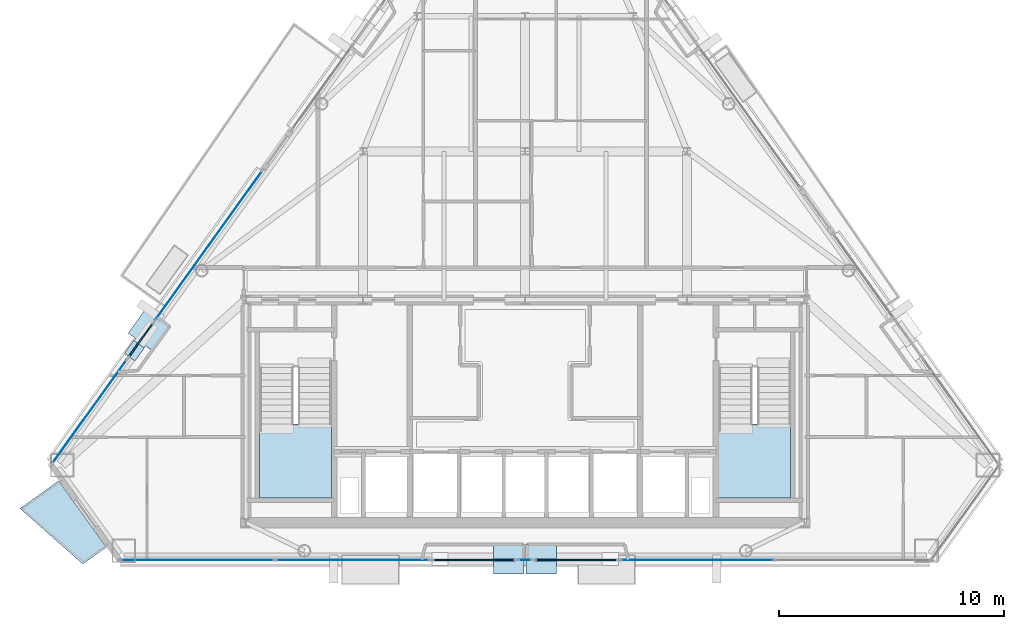
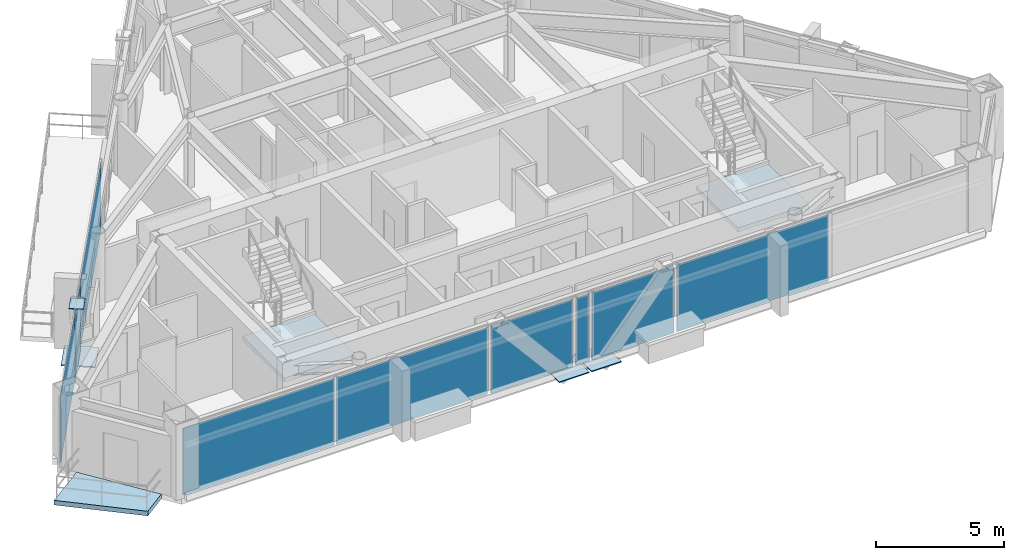
# One storey, part 6 of 12: 13 plates, 3 slabs, 10 elements without a shape of their own.
"""IFC4 building model written with IfcOpenShell, lengths in metres."""

import ifcopenshell
import ifcopenshell.guid

model = None  # the IFC model being written
_history = None  # IfcOwnerHistory: only IFC2X3 demands one
_inside = {}  # id of a spatial element -> (the spatial element, [elements in it])
_under = {}  # id of a project, library or spatial element -> (it, [spatial elements below it])
_declared = {}  # id of a project -> (the project, [libraries it declares])
_typed = {}  # id of a type object -> (the type object, [elements of that type])
_made_of = {}  # id of a material, layer set ... -> (it, [elements and type objects made of it])


def new_model(schema):
    """Start an empty IFC model of exactly this schema.

    Asked for "IFC4X3", IfcOpenShell would pick the latest addendum, in which some entities
    have other attributes; the version numbers below select the first issue.
    IFC2X3 requires an IfcOwnerHistory on every rooted entity: one is made here for all.
    """
    global model, _history
    if schema == "IFC4X3":
        model = ifcopenshell.file(schema_version=(4, 3, 0, 0))
    else:
        model = ifcopenshell.file(schema=schema)
    _inside.clear()
    _under.clear()
    _declared.clear()
    _typed.clear()
    _made_of.clear()
    _history = None
    if model.schema == "IFC2X3":
        org = make("IfcOrganization", Name="unknown")
        user = make(
            "IfcPersonAndOrganization",
            ThePerson=make("IfcPerson", FamilyName="unknown"),
            TheOrganization=org,
        )
        app = make(
            "IfcApplication",
            ApplicationDeveloper=org,
            Version="unknown",
            ApplicationFullName="unknown",
            ApplicationIdentifier="unknown",
        )
        _history = make(
            "IfcOwnerHistory",
            OwningUser=user,
            OwningApplication=app,
            ChangeAction="ADDED",
            CreationDate=0,
        )
    return model


def make(cls, **values):
    """One entity of the class cls with the attributes given. An attribute that is None is left unset."""
    return model.create_entity(
        cls, **{name: value for name, value in values.items() if value is not None}
    )


def rooted(cls, **values):
    """An entity with a GlobalId (a new one), such as an element, a storey or a relation."""
    return make(cls, GlobalId=ifcopenshell.guid.new(), OwnerHistory=_history, **values)


def si_unit(unit_type, name, prefix=None):
    """IfcSIUnit, for example si_unit("LENGTHUNIT", "METRE", prefix="MILLI")."""
    return make("IfcSIUnit", UnitType=unit_type, Prefix=prefix, Name=name)


def assignment(units):
    """IfcUnitAssignment: the units of a project."""
    return None if units is None else make("IfcUnitAssignment", Units=units)


def point(xyz):
    """IfcCartesianPoint."""
    return None if xyz is None else make("IfcCartesianPoint", Coordinates=xyz)


def direction(xyz):
    """IfcDirection."""
    return None if xyz is None else make("IfcDirection", DirectionRatios=xyz)


def frame(location, z_axis=None, x_axis=None):
    """IfcAxis2Placement3D, a coordinate frame: its origin and axes. An axis left out is left unset."""
    return make(
        "IfcAxis2Placement3D",
        Location=point(location),
        Axis=direction(z_axis),
        RefDirection=direction(x_axis),
    )


def frame_2d(location, x_axis=None):
    """IfcAxis2Placement2D, a coordinate frame in the plane: its origin and x axis."""
    return make(
        "IfcAxis2Placement2D", Location=point(location), RefDirection=direction(x_axis)
    )


def origin():
    """The frame at (0, 0, 0) with its axes left unset."""
    return frame((0.0, 0.0, 0.0))


def origin_2d():
    """The frame at (0, 0) in the plane with its x axis left unset."""
    return frame_2d((0.0, 0.0))


def place(relative_to, where):
    """IfcLocalPlacement: puts the frame where relative to a parent placement (None: the world)."""
    return make(
        "IfcLocalPlacement", PlacementRelTo=relative_to, RelativePlacement=where
    )


def context(
    kind, dimensions, precision=None, world=None, true_north=None, identifier=None
):
    """IfcGeometricRepresentationContext, for example the 3D "Model" context."""
    return make(
        "IfcGeometricRepresentationContext",
        ContextIdentifier=identifier,
        ContextType=kind,
        CoordinateSpaceDimension=dimensions,
        Precision=precision,
        WorldCoordinateSystem=world,
        TrueNorth=true_north,
    )


def subcontext(parent, identifier, kind, view, scale=None):
    """IfcGeometricRepresentationSubContext, for example "Body" below "Model"."""
    return make(
        "IfcGeometricRepresentationSubContext",
        ContextIdentifier=identifier,
        ContextType=kind,
        ParentContext=parent,
        TargetScale=scale,
        TargetView=view,
    )


def project(units=None, contexts=None):
    """IfcProject with its units and contexts."""
    return rooted(
        "IfcProject",
        Name="project",
        RepresentationContexts=contexts,
        UnitsInContext=assignment(units),
    )


def spatial(cls, under=None, at=None, **own):
    """A site, building, storey or space (cls), placed at a placement, below another one or the project."""
    s = rooted(cls, ObjectPlacement=at, **own)
    if under is not None:
        _under.setdefault(under.id(), (under, []))[1].append(s)
    return s


def polyline(points):
    """IfcPolyline through the points."""
    return make("IfcPolyline", Points=[point(p) for p in points])


def profile(cls, at=None, kind="AREA", **sizes):
    """A parametric profile (cls). Its sizes go by their IFC names, for example OverallWidth=200.0."""
    return make(cls, ProfileType=kind, Position=at, **sizes)


def rectangle(**sizes):
    """IfcRectangleProfileDef."""
    return profile("IfcRectangleProfileDef", **sizes)


def outline(outer, holes=None, kind="AREA"):
    """IfcArbitraryClosedProfileDef: a profile drawn as a closed curve; with holes, ...WithVoids."""
    if holes is None:
        return make("IfcArbitraryClosedProfileDef", ProfileType=kind, OuterCurve=outer)
    return make(
        "IfcArbitraryProfileDefWithVoids",
        ProfileType=kind,
        OuterCurve=outer,
        InnerCurves=holes,
    )


def extrude(swept, where, along, depth):
    """IfcExtrudedAreaSolid: the profile swept, set in the frame where, extruded along a direction by depth."""
    return make(
        "IfcExtrudedAreaSolid",
        SweptArea=swept,
        Position=where,
        ExtrudedDirection=direction(along),
        Depth=depth,
    )


def shape(context_of_items, identifier, shape_type, items):
    """IfcShapeRepresentation: the items that make up one representation, for example the "Body"."""
    return make(
        "IfcShapeRepresentation",
        ContextOfItems=context_of_items,
        RepresentationIdentifier=identifier,
        RepresentationType=shape_type,
        Items=items,
    )


def source(mapping_origin, context_of_items, identifier, shape_type, items):
    """IfcRepresentationMap: a shape defined once, which mapped items show again and again."""
    return make(
        "IfcRepresentationMap",
        MappingOrigin=mapping_origin,
        MappedRepresentation=shape(context_of_items, identifier, shape_type, items),
    )


def transform(
    local_origin,
    x_axis=None,
    y_axis=None,
    z_axis=None,
    scale=None,
    scale2=None,
    scale3=None,
    uniform=True,
):
    """IfcCartesianTransformationOperator3D, or its non-uniform kind. x_axis, y_axis, z_axis: its Axis1, 2, 3."""
    if uniform:
        return make(
            "IfcCartesianTransformationOperator3D",
            Axis1=direction(x_axis),
            Axis2=direction(y_axis),
            LocalOrigin=point(local_origin),
            Scale=scale,
            Axis3=direction(z_axis),
        )
    return make(
        "IfcCartesianTransformationOperator3DnonUniform",
        Axis1=direction(x_axis),
        Axis2=direction(y_axis),
        LocalOrigin=point(local_origin),
        Scale=scale,
        Axis3=direction(z_axis),
        Scale2=scale2,
        Scale3=scale3,
    )


def mapped(mapping_source, mapping_target):
    """IfcMappedItem: shows the shape of a source again, moved by a transform."""
    return make(
        "IfcMappedItem", MappingSource=mapping_source, MappingTarget=mapping_target
    )


def material(Name=None, Category=None):
    """IfcMaterial."""
    return make("IfcMaterial", Name=Name, Category=Category)


def layer(
    of_material, thickness, ventilated=None, Name=None, Category=None, Priority=None
):
    """IfcMaterialLayer: one layer of a wall or slab, of a material (None: an air gap)."""
    return make(
        "IfcMaterialLayer",
        Material=of_material,
        LayerThickness=thickness,
        IsVentilated=ventilated,
        Name=Name,
        Category=Category,
        Priority=Priority,
    )


def layer_set(layers, Name=None):
    """IfcMaterialLayerSet."""
    return make("IfcMaterialLayerSet", MaterialLayers=layers, LayerSetName=Name)


def made_of(thing, what):
    """Note that an element or type object is made of a material, layer set ...; save() writes the relation."""
    if what is not None:
        _made_of.setdefault(what.id(), (what, []))[1].append(thing)
    return thing


def type_object(cls, material=None, **own):
    """A type object (cls), such as IfcWallType, which elements share."""
    return made_of(rooted(cls, **own), material)


def type_shapes(of_type, sources):
    """Give a type object the sources (RepresentationMaps) that its elements show as mapped items."""
    of_type.RepresentationMaps = sources


def element(
    cls,
    number,
    at=None,
    inside=None,
    cuts=None,
    type_object=None,
    material=None,
    context=None,
    identifier="Body",
    shape_type=None,
    held_by="IfcProductDefinitionShape",
    body=None,
    shapes=None,
    **own,
):
    """One element of the class cls, such as IfcWall. Its Tag is "e" and its number.

    at: its placement. inside: the storey or other place that contains it. cuts: it is an
    opening in that element (IfcRelVoidsElement). A single representation is given by context,
    identifier, shape_type and body (its items); several are given by shapes. held_by: the class
    of the entity that holds the representations. save() writes the other relations.
    """
    e = rooted(cls, Tag="e%d" % number, ObjectPlacement=at, **own)
    if body is not None:
        shapes = [shape(context, identifier, shape_type, body)]
    if shapes is not None:
        e.Representation = make(held_by, Representations=shapes)
    if inside is not None:
        _inside.setdefault(inside.id(), (inside, []))[1].append(e)
    if cuts is not None:
        rooted(
            "IfcRelVoidsElement", RelatingBuildingElement=cuts, RelatedOpeningElement=e
        )
    if type_object is not None:
        _typed.setdefault(type_object.id(), (type_object, []))[1].append(e)
    return made_of(e, material)


def aggregate(whole, parts):
    """IfcRelAggregates: a whole, such as a stair, and the parts it consists of."""
    return rooted("IfcRelAggregates", RelatingObject=whole, RelatedObjects=parts)


def save(model, path):
    """Write the relations noted so far, then the file.

    IfcRelAggregates (storeys below a building ...), IfcRelContainedInSpatialStructure (elements
    in a storey), IfcRelDefinesByType, IfcRelAssociatesMaterial and IfcRelDeclares: one each for
    every whole, place, type object, material and project.
    """
    for whole, parts in _under.values():
        aggregate(whole, parts)
    for where, things in _inside.values():
        rooted(
            "IfcRelContainedInSpatialStructure",
            RelatedElements=things,
            RelatingStructure=where,
        )
    for kind, things in _typed.values():
        rooted("IfcRelDefinesByType", RelatedObjects=things, RelatingType=kind)
    for what, things in _made_of.values():
        rooted("IfcRelAssociatesMaterial", RelatedObjects=things, RelatingMaterial=what)
    for by, libraries in _declared.values():
        rooted("IfcRelDeclares", RelatingContext=by, RelatedDefinitions=libraries)
    model.write(path)


model = new_model("IFC4")

# Units and contexts
model_context = context("Model", 3, precision=1e-05, world=origin(), true_north=direction((0.0, 1.0)))
body_context = subcontext(model_context, "Body", "Model", "MODEL_VIEW")
ifc_project = project(units=[si_unit("LENGTHUNIT", "METRE"), si_unit("AREAUNIT", "SQUARE_METRE"), si_unit("VOLUMEUNIT", "CUBIC_METRE"), si_unit("PLANEANGLEUNIT", "RADIAN"), si_unit("MASSUNIT", "GRAM", prefix="KILO")], contexts=[model_context])

# Site, building, storey
site_placement = place(None, origin())
site = spatial("IfcSite", under=ifc_project, at=site_placement, CompositionType="ELEMENT")
building_placement = place(site_placement, origin())
building = spatial("IfcBuilding", under=site, at=building_placement, Name="Talgorran Terracotta Tower", CompositionType="ELEMENT")
storey_placement = place(building_placement, frame((0.0, 0.0, 225.300048828125)))
storey = spatial("IfcBuildingStorey", under=building, at=storey_placement, Name="L59", CompositionType="ELEMENT", Elevation=225.300048828125)

# Plates
ifc_material_1 = material(Name="Steel Grade 350 (350L0)", Category="steel")
ifc_layer_1 = layer(ifc_material_1, 0.031982421875, Name="PL_CAP_MN07")
ifc_layer_set_1 = layer_set([ifc_layer_1], Name="Steel Grade 350 (350L0)")
plate_type_1 = type_object("IfcPlateType", Name="PL_CAP_MN07", PredefinedType="USERDEFINED", material=ifc_layer_set_1)
plate_1_placement = place(storey_placement, frame((-17.359619140625, -6.453857421875, 3.2939453125), z_axis=(0.0, 0.0, 1.0), x_axis=(-0.583115925445, -0.812388957023, 0.0)))
element("IfcPlate", 1, at=plate_1_placement, inside=storey, type_object=plate_type_1, Name="L59 Diagonal Frame End Cap NWL Top", ObjectType="CAP PLATE", PredefinedType="USERDEFINED", context=body_context, shape_type="SweptSolid", body=[
    extrude(rectangle(XDim=0.719970703125, YDim=0.580078125, at=origin_2d()), origin(), (0.0, 0.0, 1.0), 0.031982421875),
])
ifc_layer_2 = layer(ifc_material_1, 0.050048828125, Name="PL_NODE_MN03")
ifc_layer_set_2 = layer_set([ifc_layer_2], Name="Steel Grade 350 (350L0)")
plate_type_2 = type_object("IfcPlateType", Name="PL_NODE_MN03", PredefinedType="USERDEFINED", material=ifc_layer_set_2)
for number, where, z_axis, x_axis, name in (
    (2, (-0.720703125, -15.712158203125, -0.01513671875), (0.0, 0.0, 1.0), (-1.0, 0.0, 0.0), "L59 Diagonal Frame End Cap SWF Bot"),
    (3, (0.720703125, -15.712158203125, -0.01513671875), (0.0, 0.0, 1.0), (1.0, 0.0, 0.0), "L59 Diagonal Frame End Cap SEF Bot"),
    (4, (-16.694091796875, -5.527099609375, -0.01513671875), (0.0, 0.0, 1.0), (-0.583115925445, -0.812388957023, 0.0), "L59 Diagonal Frame End Cap NWL Bot"),
):
    element("IfcPlate", number, at=place(storey_placement, frame(where, z_axis=z_axis, x_axis=x_axis)), inside=storey, type_object=plate_type_2, Name=name, ObjectType="NODE PLATE", PredefinedType="USERDEFINED", context=body_context, shape_type="SweptSolid", body=[
        extrude(rectangle(XDim=1.35009765625, YDim=1.35009765625, at=origin_2d()), origin(), (0.0, 0.0, 1.0), 0.050048828125),
    ])

# Slab
ifc_material_2 = material(Name="Concrete C40/50", Category="concrete")
ifc_layer_3 = layer(ifc_material_2, 0.219970703125, Name="SL_BALCONY_220")
ifc_layer_set_3 = layer_set([ifc_layer_3], Name="Concrete C40/50")
slab_type_1 = type_object("IfcSlabType", Name="SL_BALCONY_220", PredefinedType="FLOOR", material=ifc_layer_set_3)
slab_1_placement = place(storey_placement, frame((0.0, 0.0, -0.219970703125)))
element("IfcSlab", 5, at=slab_1_placement, inside=storey, type_object=slab_type_1, Name="L59 Outdoor Wave Balcony BAL-SW", PredefinedType="FLOOR", context=body_context, shape_type="SweptSolid", body=[
    extrude(outline(polyline([(-18.60498046875, -15.1904296875), (-20.723388671875, -12.239013671875), (-22.440185546875, -13.47119140625), (-19.650390625, -15.94091796875), (-18.60498046875, -15.1904296875)])), origin(), (0.0, 0.0, 1.0), 0.219970703125),
])

# Stair, slab
stair_type = type_object("IfcStairType", Name="ST_FIRE_SCISSOR", PredefinedType="HALF_TURN_STAIR", material=ifc_material_2)
stair_1_placement = place(storey_placement, origin())
stair_1 = element("IfcStair", 6, at=stair_1_placement, inside=storey, type_object=stair_type, Name="L59 West Protected Fire Stair ST-01", PredefinedType="HALF_TURN_STAIR")
ifc_layer_4 = layer(ifc_material_2, 0.199951171875, Name="SL_LANDING_200")
ifc_layer_set_4 = layer_set([ifc_layer_4], Name="Concrete C40/50")
slab_type_2 = type_object("IfcSlabType", Name="SL_LANDING_200", PredefinedType="LANDING", material=ifc_layer_set_4)
slab_2_placement = place(storey_placement, frame((0.0, 0.0, 1.599853515625)))
slab_2 = element("IfcSlab", 7, at=slab_2_placement, type_object=slab_type_2, Name="ST-01 landing 1", PredefinedType="LANDING", context=body_context, shape_type="SweptSolid", body=[
    extrude(outline(polyline([(-11.800048828125, -9.719970703125), (-11.800048828125, -13.0), (-8.60009765625, -13.0), (-8.60009765625, -9.719970703125), (-11.800048828125, -9.719970703125)])), origin(), (0.0, 0.0, 1.0), 0.2001953125),
])
aggregate(stair_1, [slab_2])

stair_2_placement = place(storey_placement, origin())
stair_2 = element("IfcStair", 8, at=stair_2_placement, inside=storey, type_object=stair_type, Name="L59 East Protected Fire Stair ST-02", PredefinedType="HALF_TURN_STAIR")
slab_3_placement = place(storey_placement, frame((0.0, 0.0, 1.599853515625)))
slab_3 = element("IfcSlab", 9, at=slab_3_placement, type_object=slab_type_2, Name="ST-02 landing 1", PredefinedType="LANDING", context=body_context, shape_type="SweptSolid", body=[
    extrude(outline(polyline([(8.60009765625, -9.719970703125), (8.60009765625, -13.0), (11.800048828125, -13.0), (11.800048828125, -9.719970703125), (8.60009765625, -9.719970703125)])), origin(), (0.0, 0.0, 1.0), 0.2001953125),
])
aggregate(stair_2, [slab_3])

# Curtain wall, plates
ifc_material_3 = material(Name="High-Wind Unitised Glazing", Category="glass")
ifc_layer_5 = layer(ifc_material_3, 0.2099609375, Name="CW_SYS3_RES_HIGH")
ifc_layer_set_5 = layer_set([ifc_layer_5], Name="High-Wind Unitised Glazing")
curtain_wall_type = type_object("IfcCurtainWallType", Name="CW_SYS3_RES_HIGH", PredefinedType="NOTDEFINED", material=ifc_layer_set_5)
curtain_wall_1_placement = place(storey_placement, origin())
curtain_wall_1 = element("IfcCurtainWall", 10, at=curtain_wall_1_placement, inside=storey, type_object=curtain_wall_type, Name="CW-L59-F1", PredefinedType="NOTDEFINED")
ifc_material_4 = material(Name="High-Wind Acoustic Vision Glass", Category="glass")
ifc_layer_6 = layer(ifc_material_4, 0.031982421875, Name="PLT_VISION_32")
ifc_layer_set_6 = layer_set([ifc_layer_6], Name="High-Wind Acoustic Vision Glass")
plate_type_3 = type_object("IfcPlateType", Name="PLT_VISION_32", PredefinedType="CURTAIN_PANEL", material=ifc_layer_set_6)
shared_shape_1 = source(origin(), body_context, "Body", "SweptSolid", [
    extrude(rectangle(XDim=6.817626953125, YDim=0.031982421875, at=origin_2d()), origin(), (0.0, 0.0, 1.0), 3.179931640625),
])
plate_2_placement = place(storey_placement, frame((-14.556640625, -15.752197265625, 0.06982421875), z_axis=(0.0, 0.0, 1.0), x_axis=(1.0, 0.0, 0.0)))
plate_2 = element("IfcPlate", 11, at=plate_2_placement, type_object=plate_type_3, Name="CW-L59-1 panel 1.1", PredefinedType="CURTAIN_PANEL", context=body_context, shape_type="MappedRepresentation", body=[
    mapped(shared_shape_1, transform((0.0, 0.0, 0.0), scale=1.0)),
])
plate_3_placement = place(storey_placement, frame((-7.6689453125, -15.752197265625, 0.06982421875), z_axis=(0.0, 0.0, 1.0), x_axis=(1.0, 0.0, 0.0)))
plate_3 = element("IfcPlate", 12, at=plate_3_placement, type_object=plate_type_3, Name="CW-L59-1 panel 2.1", PredefinedType="CURTAIN_PANEL", context=body_context, shape_type="MappedRepresentation", body=[
    mapped(shared_shape_1, transform((0.0, 0.0, 0.0), scale=1.0)),
])
aggregate(curtain_wall_1, [plate_2, plate_3])

# Curtain wall, plate
curtain_wall_2_placement = place(storey_placement, origin())
curtain_wall_2 = element("IfcCurtainWall", 13, at=curtain_wall_2_placement, inside=storey, type_object=curtain_wall_type, Name="CW-L59-F1E", PredefinedType="NOTDEFINED")
plate_4_placement = place(storey_placement, frame((7.6689453125, -15.752197265625, 0.06982421875), z_axis=(0.0, 0.0, 1.0), x_axis=(1.0, 0.0, 0.0)))
plate_4 = element("IfcPlate", 14, at=plate_4_placement, type_object=plate_type_3, Name="CW-L59-1E panel 1.1", PredefinedType="CURTAIN_PANEL", context=body_context, shape_type="MappedRepresentation", body=[
    mapped(shared_shape_1, transform((0.0, 0.0, 0.0), scale=1.0)),
])
aggregate(curtain_wall_2, [plate_4])

curtain_wall_3_placement = place(storey_placement, origin())
curtain_wall_3 = element("IfcCurtainWall", 15, at=curtain_wall_3_placement, inside=storey, type_object=curtain_wall_type, Name="CW-L59-F1B", PredefinedType="NOTDEFINED")
ifc_material_5 = material(Name="Terracotta Insulated Spandrel", Category="masonry")
ifc_layer_7 = layer(ifc_material_5, 0.06494140625, Name="PLT_SPANDREL_TERRA")
ifc_layer_set_7 = layer_set([ifc_layer_7], Name="Terracotta Insulated Spandrel")
plate_type_4 = type_object("IfcPlateType", Name="PLT_SPANDREL_TERRA", PredefinedType="SHEET", material=ifc_layer_set_7)
shared_shape_2 = source(origin(), body_context, "Body", "SweptSolid", [
    extrude(rectangle(XDim=3.6640625, YDim=0.06494140625, at=origin_2d()), origin(), (0.0, 0.0, 1.0), 3.179931640625),
])
plate_5_placement = place(storey_placement, frame((-2.278076171875, -15.752197265625, 0.06982421875), z_axis=(0.0, 0.0, 1.0), x_axis=(1.0, 0.0, 0.0)))
plate_5 = element("IfcPlate", 16, at=plate_5_placement, type_object=plate_type_4, Name="CW-L59-1B panel 1.1", PredefinedType="CURTAIN_PANEL", context=body_context, shape_type="MappedRepresentation", body=[
    mapped(shared_shape_2, transform((0.0, 0.0, 0.0), scale=1.0)),
])
aggregate(curtain_wall_3, [plate_5])

curtain_wall_4_placement = place(storey_placement, origin())
curtain_wall_4 = element("IfcCurtainWall", 17, at=curtain_wall_4_placement, inside=storey, type_object=curtain_wall_type, Name="CW-L59-F1D", PredefinedType="NOTDEFINED")
plate_6_placement = place(storey_placement, frame((2.278076171875, -15.752197265625, 0.06982421875), z_axis=(0.0, 0.0, 1.0), x_axis=(1.0, 0.0, 0.0)))
plate_6 = element("IfcPlate", 18, at=plate_6_placement, type_object=plate_type_4, Name="CW-L59-1D panel 1.1", PredefinedType="CURTAIN_PANEL", context=body_context, shape_type="MappedRepresentation", body=[
    mapped(shared_shape_2, transform((0.0, 0.0, 0.0), scale=1.0)),
])
aggregate(curtain_wall_4, [plate_6])

curtain_wall_5_placement = place(storey_placement, origin())
curtain_wall_5 = element("IfcCurtainWall", 19, at=curtain_wall_5_placement, inside=storey, type_object=curtain_wall_type, Name="CW-L59-F1C", PredefinedType="NOTDEFINED")
shared_shape_3 = source(origin(), body_context, "Body", "SweptSolid", [
    extrude(rectangle(XDim=0.592041015625, YDim=0.031982421875, at=origin_2d()), origin(), (0.0, 0.0, 1.0), 3.179931640625),
])
plate_7_placement = place(storey_placement, frame((0.0, -15.752197265625, 0.06982421875), z_axis=(0.0, 0.0, 1.0), x_axis=(1.0, 0.0, 0.0)))
plate_7 = element("IfcPlate", 20, at=plate_7_placement, type_object=plate_type_3, Name="CW-L59-1C panel 1.1", PredefinedType="CURTAIN_PANEL", context=body_context, shape_type="MappedRepresentation", body=[
    mapped(shared_shape_3, transform((0.0, 0.0, 0.0), scale=1.0)),
])
aggregate(curtain_wall_5, [plate_7])

curtain_wall_6_placement = place(storey_placement, origin())
curtain_wall_6 = element("IfcCurtainWall", 21, at=curtain_wall_6_placement, inside=storey, type_object=curtain_wall_type, Name="CW-L59-F61C", PredefinedType="NOTDEFINED")
shared_shape_4 = source(origin(), body_context, "Body", "SweptSolid", [
    extrude(rectangle(XDim=5.63916015625, YDim=0.031982421875, at=origin_2d()), origin(), (0.0, 0.0, 1.0), 3.179931640625),
])
plate_8_placement = place(storey_placement, frame((-19.350830078125, -9.15966796875, 0.06982421875), z_axis=(0.0, 0.0, 1.0), x_axis=(-0.583115726941, -0.812389099505, 0.0)))
plate_8 = element("IfcPlate", 22, at=plate_8_placement, type_object=plate_type_3, Name="CW-L59-61C panel 1.1", PredefinedType="CURTAIN_PANEL", context=body_context, shape_type="MappedRepresentation", body=[
    mapped(shared_shape_4, transform((0.0, 0.0, 0.0), scale=1.0)),
])
aggregate(curtain_wall_6, [plate_8])

curtain_wall_7_placement = place(storey_placement, origin())
curtain_wall_7 = element("IfcCurtainWall", 23, at=curtain_wall_7_placement, inside=storey, type_object=curtain_wall_type, Name="CW-L59-F61B", PredefinedType="NOTDEFINED")
shared_shape_5 = source(origin(), body_context, "Body", "SweptSolid", [
    extrude(rectangle(XDim=1.864990234375, YDim=0.06494140625, at=origin_2d()), origin(), (0.0, 0.0, 1.0), 3.179931640625),
])
type_shapes(plate_type_4, [shared_shape_2, shared_shape_5])
plate_9_placement = place(storey_placement, frame((-17.075439453125, -5.98974609375, 0.06982421875), z_axis=(0.0, 0.0, 1.0), x_axis=(-0.583119019935, -0.812386735853, 0.0)))
plate_9 = element("IfcPlate", 24, at=plate_9_placement, type_object=plate_type_4, Name="CW-L59-61B panel 1.1", PredefinedType="CURTAIN_PANEL", context=body_context, shape_type="MappedRepresentation", body=[
    mapped(shared_shape_5, transform((0.0, 0.0, 0.0), scale=1.0)),
])
aggregate(curtain_wall_7, [plate_9])

curtain_wall_8_placement = place(storey_placement, origin())
curtain_wall_8 = element("IfcCurtainWall", 25, at=curtain_wall_8_placement, inside=storey, type_object=curtain_wall_type, Name="CW-L59-F61", PredefinedType="NOTDEFINED")
shared_shape_6 = source(origin(), body_context, "Body", "SweptSolid", [
    extrude(rectangle(XDim=8.163330078125, YDim=0.031982421875, at=origin_2d()), origin(), (0.0, 0.0, 1.0), 3.179931640625),
])
type_shapes(plate_type_3, [shared_shape_1, shared_shape_3, shared_shape_4, shared_shape_6])
plate_10_placement = place(storey_placement, frame((-14.064208984375, -1.79443359375, 0.06982421875), z_axis=(0.0, 0.0, 1.0), x_axis=(-0.583117527754, -0.812387806916, 0.0)))
plate_10 = element("IfcPlate", 26, at=plate_10_placement, type_object=plate_type_3, Name="CW-L59-61 panel 1.1", PredefinedType="CURTAIN_PANEL", context=body_context, shape_type="MappedRepresentation", body=[
    mapped(shared_shape_6, transform((0.0, 0.0, 0.0), scale=1.0)),
])
aggregate(curtain_wall_8, [plate_10])

save(model, "model.ifc")
